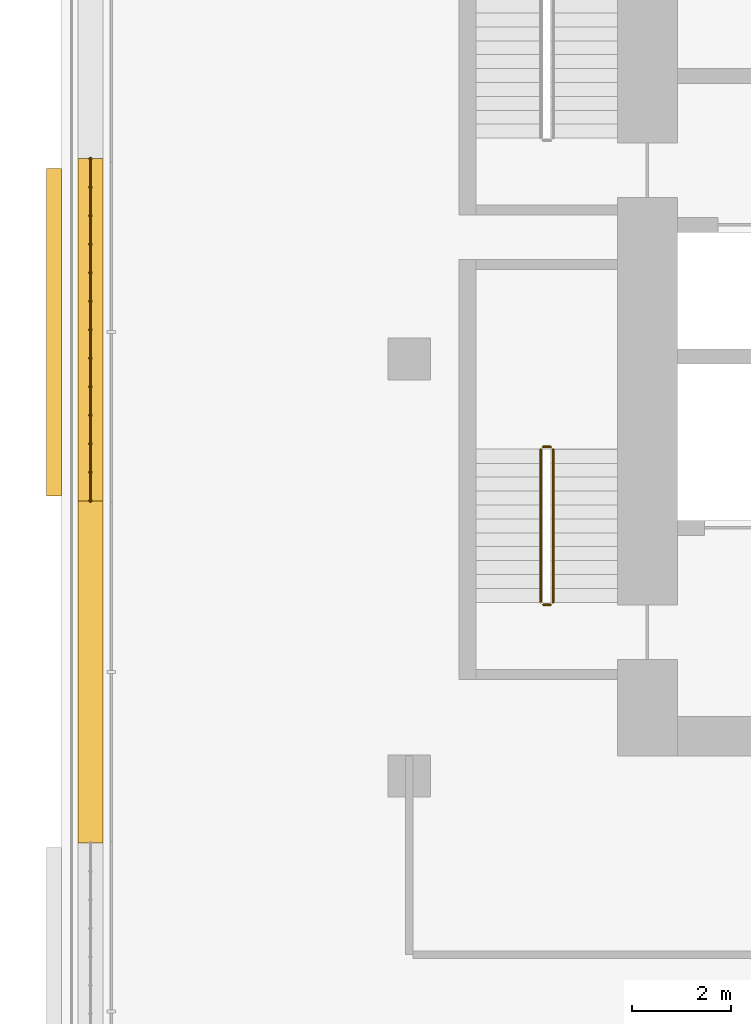
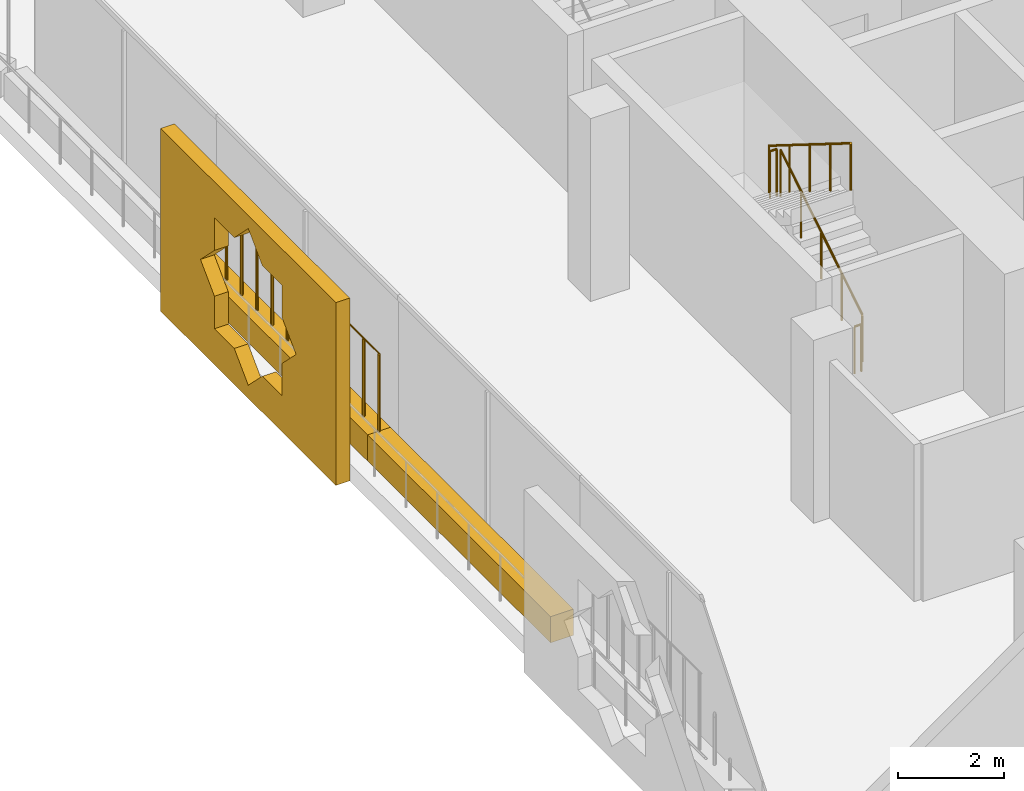
# One storey, part 16 of 22: 5 railings, 3 coverings.
"""IFC4 building model written with IfcOpenShell, lengths in metres."""

from ifc_helpers import new_model, si_unit, direction, frame, origin, origin_2d, place, context, subcontext, project, spatial, polyline, rectangle, circle, outline, extrude, material, material_profile, profile_set, type_object, element, save


model = new_model("IFC4")

# Units and contexts
model_context = context("Model", 3, precision=1e-05, world=origin(), true_north=direction((0.0, 1.0)))
body_context = subcontext(model_context, "Body", "Model", "MODEL_VIEW")
ifc_project = project(units=[si_unit("LENGTHUNIT", "METRE"), si_unit("AREAUNIT", "SQUARE_METRE"), si_unit("VOLUMEUNIT", "CUBIC_METRE"), si_unit("PLANEANGLEUNIT", "RADIAN"), si_unit("MASSUNIT", "GRAM", prefix="KILO")], contexts=[model_context])

# Site, building, storey
site_placement = place(None, origin())
site = spatial("IfcSite", under=ifc_project, at=site_placement, CompositionType="ELEMENT")
building_placement = place(site_placement, origin())
building = spatial("IfcBuilding", under=site, at=building_placement, Name="Kawkab Arch Medical Tower", CompositionType="ELEMENT")
storey_placement = place(building_placement, frame((0.0, 0.0, 251.60009765625)))
storey = spatial("IfcBuildingStorey", under=building, at=storey_placement, Name="L58", CompositionType="ELEMENT", Elevation=251.60009765625)

# Coverings
ifc_material_1 = material(Name="Bronze anodised aluminium mashrabiya panel, eight-point star pattern", Category="aluminium")
ifc_material_profile_1 = material_profile(ifc_material_1, outline(polyline([(-3.300048828125, -2.10009765625), (3.300048828125, -2.10009765625), (3.300048828125, 2.10009765625), (-3.300048828125, 2.10009765625), (-3.300048828125, -2.10009765625)]), holes=[polyline([(1.800048828125, 0.0), (1.272705078125, 0.527099609375), (1.272705078125, 1.272705078125), (0.527099609375, 1.272705078125), (0.0, 1.800048828125), (-0.527099609375, 1.272705078125), (-1.272705078125, 1.272705078125), (-1.272705078125, 0.527099609375), (-1.800048828125, 0.0), (-1.272705078125, -0.527099609375), (-1.272705078125, -1.272705078125), (-0.527099609375, -1.272705078125), (0.0, -1.800048828125), (0.527099609375, -1.272705078125), (1.272705078125, -1.272705078125), (1.272705078125, -0.527099609375), (1.800048828125, 0.0)])]), Name="Mashrabiya panel 6600x4200")
ifc_profile_set_1 = profile_set([ifc_material_profile_1], Name="Bronze anodised aluminium mashrabiya panel, eight-point star pattern")
covering_type_1 = type_object("IfcCoveringType", Name="Mashrabiya panel 6600 x 4200", PredefinedType="USERDEFINED", material=ifc_profile_set_1)
covering_1_placement = place(storey_placement, frame((-7.0, -16.259033203125, 1.699951171875), z_axis=(-1.0, 0.0, 0.0), x_axis=(0.0, -1.0, 0.0)))
element("IfcCovering", 1, at=covering_1_placement, inside=storey, type_object=covering_type_1, Name="Mashrabiya panel L58.LOG-01-01.4", ObjectType="SCREEN", PredefinedType="USERDEFINED", context=body_context, shape_type="SweptSolid", body=[
    extrude(outline(polyline([(-3.300048828125, -2.10009765625), (3.300048828125, -2.10009765625), (3.300048828125, 2.10009765625), (-3.300048828125, 2.10009765625), (-3.300048828125, -2.10009765625)]), holes=[polyline([(1.800048828125, 0.0), (1.272705078125, 0.527099609375), (1.272705078125, 1.272705078125), (0.527099609375, 1.272705078125), (0.0, 1.800048828125), (-0.527099609375, 1.272705078125), (-1.272705078125, 1.272705078125), (-1.272705078125, 0.527099609375), (-1.800048828125, 0.0), (-1.272705078125, -0.527099609375), (-1.272705078125, -1.272705078125), (-0.527099609375, -1.272705078125), (0.0, -1.800048828125), (0.527099609375, -1.272705078125), (1.272705078125, -1.272705078125), (1.272705078125, -0.527099609375), (1.800048828125, 0.0)])]), origin(), (0.0, 0.0, 1.0), 0.300048828125),
])
ifc_material_2 = material(Name="Planting soil in a precast trough", Category="concrete")
ifc_material_profile_2 = material_profile(ifc_material_2, rectangle(XDim=0.5, YDim=0.60009765625, at=origin_2d()), Name="Trough 500x600")
ifc_profile_set_2 = profile_set([ifc_material_profile_2], Name="Planting soil in a precast trough")
covering_type_2 = type_object("IfcCoveringType", Name="Planter trough 500 x 600", PredefinedType="USERDEFINED", material=ifc_profile_set_2)
covering_2_placement = place(storey_placement, frame((-6.419921875, -26.544921875, 0.2998046875), z_axis=(0.0, 1.0, 0.0), x_axis=(-1.0, 0.0, 0.0)))
element("IfcCovering", 2, at=covering_2_placement, inside=storey, type_object=covering_type_2, Name="Planter L58.LOG-01-01.10", ObjectType="PLANTER", PredefinedType="USERDEFINED", context=body_context, shape_type="SweptSolid", body=[
    extrude(rectangle(XDim=0.5, YDim=0.60009765625, at=origin_2d()), origin(), (0.0, 0.0, 1.0), 6.889892578125),
])
covering_3_placement = place(storey_placement, frame((-6.419921875, -19.655029296875, 0.2998046875), z_axis=(0.0, 1.0, 0.0), x_axis=(-1.0, 0.0, 0.0)))
element("IfcCovering", 3, at=covering_3_placement, inside=storey, type_object=covering_type_2, Name="Planter L58.LOG-01-01.11", ObjectType="PLANTER", PredefinedType="USERDEFINED", context=body_context, shape_type="SweptSolid", body=[
    extrude(rectangle(XDim=0.5, YDim=0.60009765625, at=origin_2d()), origin(), (0.0, 0.0, 1.0), 6.89111328125),
])

# Railings
ifc_material_3 = material(Name="Bronze anodised aluminium trellis for climbing plants", Category="aluminium")
railing_type_1 = type_object("IfcRailingType", Name="Planting trellis 2400", PredefinedType="USERDEFINED", material=ifc_material_3)
railing_1_placement = place(storey_placement, frame((-6.419921875, -19.655029296875, 0.0)))
element("IfcRailing", 4, at=railing_1_placement, inside=storey, type_object=railing_type_1, Name="Planting trellis L58.LOG-01-01.11", ObjectType="TRELLIS", PredefinedType="USERDEFINED", context=body_context, shape_type="SweptSolid", body=[
    extrude(circle(Radius=0.01513671875, at=origin_2d()), frame((0.0, 0.0, 2.384765625), z_axis=(0.0, 1.0, 0.0), x_axis=(-1.0, 0.0, 0.0)), (0.0, 0.0, 1.0), 6.89111328125),
    extrude(circle(Radius=0.030029296875, at=origin_2d()), origin(), (0.0, 0.0, 1.0), 2.369873046875),
    extrude(circle(Radius=0.030029296875, at=origin_2d()), frame((0.0, 0.57421875, 0.0)), (0.0, 0.0, 1.0), 2.369873046875),
    extrude(circle(Radius=0.030029296875, at=origin_2d()), frame((0.0, 1.1484375, 0.0)), (0.0, 0.0, 1.0), 2.369873046875),
    extrude(circle(Radius=0.030029296875, at=origin_2d()), frame((0.0, 1.72265625, 0.0)), (0.0, 0.0, 1.0), 2.369873046875),
    extrude(circle(Radius=0.030029296875, at=origin_2d()), frame((0.0, 2.297119140625, 0.0)), (0.0, 0.0, 1.0), 2.369873046875),
    extrude(circle(Radius=0.030029296875, at=origin_2d()), frame((0.0, 2.871337890625, 0.0)), (0.0, 0.0, 1.0), 2.369873046875),
    extrude(circle(Radius=0.030029296875, at=origin_2d()), frame((0.0, 3.445556640625, 0.0)), (0.0, 0.0, 1.0), 2.369873046875),
    extrude(circle(Radius=0.030029296875, at=origin_2d()), frame((0.0, 4.019775390625, 0.0)), (0.0, 0.0, 1.0), 2.369873046875),
    extrude(circle(Radius=0.030029296875, at=origin_2d()), frame((0.0, 4.593994140625, 0.0)), (0.0, 0.0, 1.0), 2.369873046875),
    extrude(circle(Radius=0.030029296875, at=origin_2d()), frame((0.0, 5.16845703125, 0.0)), (0.0, 0.0, 1.0), 2.369873046875),
    extrude(circle(Radius=0.030029296875, at=origin_2d()), frame((0.0, 5.74267578125, 0.0)), (0.0, 0.0, 1.0), 2.369873046875),
    extrude(circle(Radius=0.030029296875, at=origin_2d()), frame((0.0, 6.31689453125, 0.0)), (0.0, 0.0, 1.0), 2.369873046875),
    extrude(circle(Radius=0.030029296875, at=origin_2d()), frame((0.0, 6.89111328125, 0.0)), (0.0, 0.0, 1.0), 2.369873046875),
])
ifc_material_4 = material(Name="Stainless steel", Category="steel")
railing_type_2 = type_object("IfcRailingType", Name="Stair guard 1100", PredefinedType="GUARDRAIL", material=ifc_material_4)
railing_2_placement = place(storey_placement, frame((2.89990234375, -21.699951171875, 0.1748046875)))
element("IfcRailing", 5, at=railing_2_placement, inside=storey, type_object=railing_type_2, Name="L58 ST2 stair guard 1", PredefinedType="GUARDRAIL", context=body_context, shape_type="SweptSolid", body=[
    extrude(circle(Radius=0.02392578125, at=origin_2d()), frame((0.0, 0.0, 1.076171875), z_axis=(0.0, 0.847979421464, 0.530029150871), x_axis=(-1.0, 0.0, 0.0)), (0.0, 0.0, 1.0), 3.632080078125),
    extrude(circle(Radius=0.02099609375, at=origin_2d()), origin(), (0.0, 0.0, 1.0), 1.052001953125),
    extrude(circle(Radius=0.02099609375, at=origin_2d()), frame((0.0, 0.77001953125, 0.481201171875)), (0.0, 0.0, 1.0), 1.052001953125),
    extrude(circle(Radius=0.02099609375, at=origin_2d()), frame((0.0, 1.5400390625, 0.96240234375)), (0.0, 0.0, 1.0), 1.052001953125),
    extrude(circle(Radius=0.02099609375, at=origin_2d()), frame((0.0, 2.309814453125, 1.44384765625)), (0.0, 0.0, 1.0), 1.052001953125),
    extrude(circle(Radius=0.02099609375, at=origin_2d()), frame((0.0, 3.079833984375, 1.925048828125)), (0.0, 0.0, 1.0), 1.052001953125),
])
railing_3_placement = place(storey_placement, frame((2.85009765625, -18.570068359375, 2.099853515625)))
element("IfcRailing", 6, at=railing_3_placement, inside=storey, type_object=railing_type_2, Name="L58 ST2 stair guard 2", PredefinedType="GUARDRAIL", context=body_context, shape_type="SweptSolid", body=[
    extrude(circle(Radius=0.02392578125, at=origin_2d()), frame((0.0, 0.0, 1.076171875), z_axis=(-1.0, 0.0, 0.0), x_axis=(0.0, -1.0, 0.0)), (0.0, 0.0, 1.0), 0.150146484375),
    extrude(circle(Radius=0.02099609375, at=origin_2d()), origin(), (0.0, 0.0, 1.0), 1.052001953125),
    extrude(circle(Radius=0.02099609375, at=origin_2d()), frame((-0.150146484375, 0.0, 0.0)), (0.0, 0.0, 1.0), 1.052001953125),
])
railing_4_placement = place(storey_placement, frame((2.64990234375, -18.6201171875, 2.27490234375)))
element("IfcRailing", 7, at=railing_4_placement, inside=storey, type_object=railing_type_2, Name="L58 ST2 stair guard 3", PredefinedType="GUARDRAIL", context=body_context, shape_type="SweptSolid", body=[
    extrude(circle(Radius=0.02392578125, at=origin_2d()), frame((0.0, 0.0, 1.076171875), z_axis=(0.0, -0.847979421464, 0.530029150871), x_axis=(1.0, 0.0, 0.0)), (0.0, 0.0, 1.0), 3.632080078125),
    extrude(circle(Radius=0.02099609375, at=origin_2d()), origin(), (0.0, 0.0, 1.0), 1.052001953125),
    extrude(circle(Radius=0.02099609375, at=origin_2d()), frame((0.0, -0.77001953125, 0.481201171875)), (0.0, 0.0, 1.0), 1.052001953125),
    extrude(circle(Radius=0.02099609375, at=origin_2d()), frame((0.0, -1.5400390625, 0.96240234375)), (0.0, 0.0, 1.0), 1.052001953125),
    extrude(circle(Radius=0.02099609375, at=origin_2d()), frame((0.0, -2.309814453125, 1.44384765625)), (0.0, 0.0, 1.0), 1.052001953125),
    extrude(circle(Radius=0.02099609375, at=origin_2d()), frame((0.0, -3.079833984375, 1.925048828125)), (0.0, 0.0, 1.0), 1.052001953125),
])
railing_5_placement = place(storey_placement, frame((2.85009765625, -21.75, 0.0)))
element("IfcRailing", 8, at=railing_5_placement, inside=storey, type_object=railing_type_2, Name="L58 ST2 stair guard 4", PredefinedType="GUARDRAIL", context=body_context, shape_type="SweptSolid", body=[
    extrude(circle(Radius=0.02392578125, at=origin_2d()), frame((0.0, 0.0, 1.076171875), z_axis=(-1.0, 0.0, 0.0), x_axis=(0.0, -1.0, 0.0)), (0.0, 0.0, 1.0), 0.150146484375),
    extrude(circle(Radius=0.02099609375, at=origin_2d()), origin(), (0.0, 0.0, 1.0), 1.052001953125),
    extrude(circle(Radius=0.02099609375, at=origin_2d()), frame((-0.150146484375, 0.0, 0.0)), (0.0, 0.0, 1.0), 1.052001953125),
])

save(model, "model.ifc")
